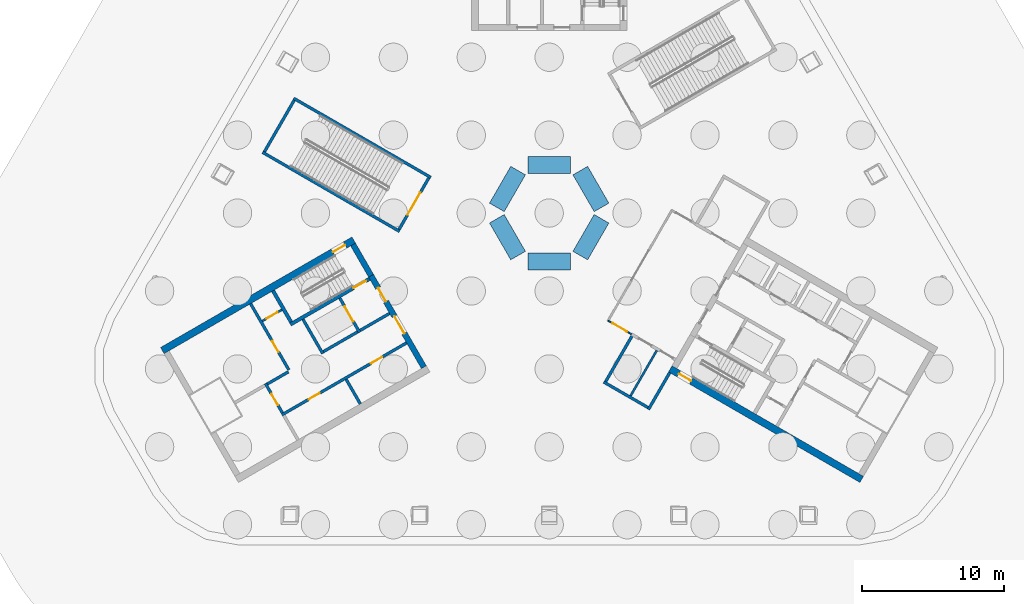
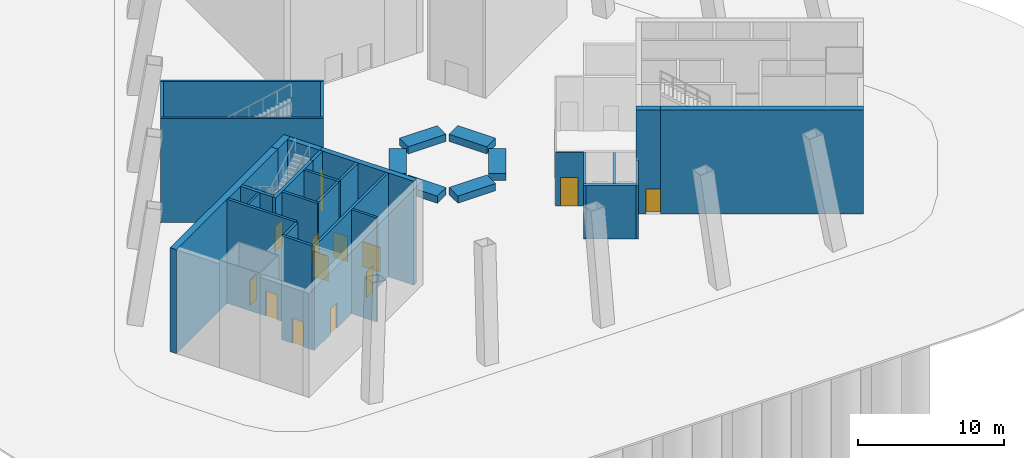
# One storey, part 3 of 10: 34 walls, 13 doors, 13 openings.
"""IFC4 building model written with IfcOpenShell, lengths in metres."""

from ifc_helpers import new_model, si_unit, direction, frame, frame_2d, origin, origin_2d, place, context, subcontext, project, spatial, rectangle, extrude, material, layer, layer_set, type_object, element, fill, save


model = new_model("IFC4")

# Units and contexts
model_context = context("Model", 3, precision=1e-05, world=origin(), true_north=direction((0.0, 1.0)))
body_context = subcontext(model_context, "Body", "Model", "MODEL_VIEW")
ifc_project = project(units=[si_unit("LENGTHUNIT", "METRE"), si_unit("AREAUNIT", "SQUARE_METRE"), si_unit("VOLUMEUNIT", "CUBIC_METRE"), si_unit("PLANEANGLEUNIT", "RADIAN"), si_unit("MASSUNIT", "GRAM", prefix="KILO")], contexts=[model_context])

# Site, building, storey
site_placement = place(None, origin())
site = spatial("IfcSite", under=ifc_project, at=site_placement, CompositionType="ELEMENT")
building_placement = place(site_placement, origin())
building = spatial("IfcBuilding", under=site, at=building_placement, Name="Apuvela Tower Hotel", CompositionType="ELEMENT")
storey_placement = place(building_placement, origin())
storey = spatial("IfcBuildingStorey", under=building, at=storey_placement, Name="L00", CompositionType="ELEMENT", Elevation=0.0)

# Wall
ifc_material_1 = material(Name="Concrete C50/60", Category="concrete")
ifc_layer_1 = layer(ifc_material_1, 0.39990234375)
ifc_layer_set_1 = layer_set([ifc_layer_1], Name="COR-WALL-CORE-400")
wall_type_1 = type_object("IfcWallType", Name="COR-WALL-CORE-400", PredefinedType="SHEAR", material=ifc_layer_set_1)
wall_1_placement = place(storey_placement, frame((-13.844970703125, -2.219970703125, 0.0), z_axis=(0.0, 0.0, 1.0), x_axis=(0.500062241894, -0.865989465428, 0.0)))
element("IfcWall", 1, at=wall_1_placement, inside=storey, type_object=wall_type_1, Name="Core wall SW", PredefinedType="SHEAR", context=body_context, shape_type="SweptSolid", body=[
    extrude(rectangle(XDim=2.550048828125, YDim=0.39990234375, at=frame_2d((1.27490234375, 0.0))), origin(), (0.0, 0.0, 1.0), 8.699951171875),
])

# Wall, openings, doors
wall_2_placement = place(storey_placement, frame((-12.56982421875, -4.42822265625, 0.0), z_axis=(0.0, 0.0, 1.0), x_axis=(0.499984378957, -0.86603442241, 0.0)))
wall_2 = element("IfcWall", 2, at=wall_2_placement, inside=storey, type_object=wall_type_1, Name="Core wall SW", PredefinedType="SHEAR", context=body_context, shape_type="SweptSolid", body=[
    extrude(rectangle(XDim=7.449951171875, YDim=0.39990234375, at=frame_2d((3.72509765625, 0.0))), origin(), (0.0, 0.0, 1.0), 8.699951171875),
])
opening_1_placement = place(wall_2_placement, frame((1.0, 0.0, 0.0)))
opening_1 = element("IfcOpeningElement", 3, at=opening_1_placement, cuts=wall_2, Name="Opening W-FD", PredefinedType="OPENING", context=body_context, shape_type="SweptSolid", body=[
    extrude(rectangle(XDim=1.10009765625, YDim=2.10009765625, at=frame_2d((0.550048828125, 1.050048828125))), frame((0.0, 0.2099609375, 0.0), z_axis=(0.0, -1.0, 0.0), x_axis=(1.0, 0.0, 0.0)), (0.0, 0.0, 1.0), 0.419921875),
])
opening_2_placement = place(wall_2_placement, frame((3.300048828125, 0.0, 0.0)))
opening_2 = element("IfcOpeningElement", 4, at=opening_2_placement, cuts=wall_2, Name="Opening W-GD", PredefinedType="OPENING", context=body_context, shape_type="SweptSolid", body=[
    extrude(rectangle(XDim=1.39990234375, YDim=2.10009765625, at=frame_2d((0.699951171875, 1.050048828125))), frame((0.0, 0.2099609375, 0.0), z_axis=(0.0, -1.0, 0.0), x_axis=(1.0, 0.0, 0.0)), (0.0, 0.0, 1.0), 0.419921875),
])
ifc_material_2 = material(Name="Steel fire door, powder coated", Category="steel")
door_type_1 = type_object("IfcDoorType", Name="COR-FD-1100", OperationType="NOTDEFINED", PredefinedType="DOOR", material=ifc_material_2)
door_1_placement = place(opening_1_placement, origin())
door_1 = element("IfcDoor", 5, at=door_1_placement, inside=storey, type_object=door_type_1, Name="Firefighting lobby door W-FD", OperationType="SINGLE_SWING_RIGHT", OverallHeight=2.10009765625, OverallWidth=1.10009765625, PredefinedType="DOOR", context=body_context, shape_type="SweptSolid", body=[
    extrude(rectangle(XDim=1.10009765625, YDim=2.10009765625, at=frame_2d((0.550048828125, 1.050048828125))), frame((0.0, 0.02490234375, 0.0), z_axis=(0.0, -1.0, 0.0), x_axis=(1.0, 0.0, 0.0)), (0.0, 0.0, 1.0), 0.050048828125),
])
fill(opening_1, door_1)
ifc_material_3 = material(Name="Glazed steel fire door", Category="steel")
door_type_2 = type_object("IfcDoorType", Name="COR-GD-1400", OperationType="DOUBLE_DOOR_SINGLE_SWING", PredefinedType="DOOR", material=ifc_material_3)
door_2_placement = place(opening_2_placement, origin())
door_2 = element("IfcDoor", 6, at=door_2_placement, inside=storey, type_object=door_type_2, Name="Lift lobby door W-GD", OperationType="DOUBLE_DOOR_SINGLE_SWING", OverallHeight=2.10009765625, OverallWidth=1.39990234375, PredefinedType="DOOR", context=body_context, shape_type="SweptSolid", body=[
    extrude(rectangle(XDim=1.39990234375, YDim=2.10009765625, at=frame_2d((0.699951171875, 1.050048828125))), frame((0.0, 0.02490234375, 0.0), z_axis=(0.0, -1.0, 0.0), x_axis=(1.0, 0.0, 0.0)), (0.0, 0.0, 1.0), 0.050048828125),
])
fill(opening_2, door_2)

# Wall, opening, door
ifc_layer_2 = layer(ifc_material_1, 0.5)
ifc_layer_set_2 = layer_set([ifc_layer_2], Name="COR-WALL-CORE-500")
wall_type_2 = type_object("IfcWallType", Name="COR-WALL-CORE-500", PredefinedType="SHEAR", material=ifc_layer_set_2)
wall_3_placement = place(storey_placement, frame((-13.796630859375, -1.9033203125, 0.0), z_axis=(0.0, 0.0, 1.0), x_axis=(-0.866033076574, -0.499986710104, 0.0)))
wall_3 = element("IfcWall", 7, at=wall_3_placement, inside=storey, type_object=wall_type_2, Name="Core wall SW", PredefinedType="SHEAR", context=body_context, shape_type="SweptSolid", body=[
    extrude(rectangle(XDim=1.7060546875, YDim=0.5, at=frame_2d((0.85302734375, 0.0))), origin(), (0.0, 0.0, 1.0), 8.699951171875),
])
opening_3_placement = place(wall_3_placement, frame((0.699951171875, 0.0, 0.0)))
opening_3 = element("IfcOpeningElement", 8, at=opening_3_placement, cuts=wall_3, Name="Opening W-XD", PredefinedType="OPENING", context=body_context, shape_type="SweptSolid", body=[
    extrude(rectangle(XDim=1.0, YDim=2.10009765625, at=frame_2d((0.5, 1.050048828125))), frame((0.0, 0.260009765625, 0.0), z_axis=(0.0, -1.0, 0.0), x_axis=(1.0, 0.0, 0.0)), (0.0, 0.0, 1.0), 0.52001953125),
])
door_type_3 = type_object("IfcDoorType", Name="COR-XD-1000", OperationType="NOTDEFINED", PredefinedType="DOOR", material=ifc_material_2)
door_3_placement = place(opening_3_placement, frame((1.0, 0.0, 0.0), z_axis=(0.0, 0.0, 1.0), x_axis=(-1.0, 0.0, 0.0)))
door_3 = element("IfcDoor", 9, at=door_3_placement, inside=storey, type_object=door_type_3, Name="Stair exit door W-XD", OperationType="SINGLE_SWING_LEFT", OverallHeight=2.10009765625, OverallWidth=1.0, PredefinedType="DOOR", context=body_context, shape_type="SweptSolid", body=[
    extrude(rectangle(XDim=1.0, YDim=2.10009765625, at=frame_2d((0.5, 1.050048828125))), frame((0.0, 0.02490234375, 0.0), z_axis=(0.0, -1.0, 0.0), x_axis=(1.0, 0.0, 0.0)), (0.0, 0.0, 1.0), 0.050048828125),
])
fill(opening_3, door_3)

# Wall
wall_4_placement = place(storey_placement, frame((-15.274169921875, -2.75634765625, 0.0), z_axis=(0.0, 0.0, 1.0), x_axis=(-0.86602318214, -0.500003847982, 0.0)))
element("IfcWall", 10, at=wall_4_placement, inside=storey, type_object=wall_type_2, Name="Core wall SW", PredefinedType="SHEAR", context=body_context, shape_type="SweptSolid", body=[
    extrude(rectangle(XDim=13.89404296875, YDim=0.5, at=frame_2d((6.947021484375, 0.0))), origin(), (0.0, 0.0, 1.0), 8.699951171875),
])

# Wall, opening, door
wall_5_placement = place(storey_placement, frame((8.546630859375, -10.99658203125, 0.0), z_axis=(0.0, 0.0, 1.0), x_axis=(0.866033076574, -0.499986710104, 0.0)))
wall_5 = element("IfcWall", 11, at=wall_5_placement, inside=storey, type_object=wall_type_2, Name="Core wall SE", PredefinedType="SHEAR", context=body_context, shape_type="SweptSolid", body=[
    extrude(rectangle(XDim=1.7060546875, YDim=0.5, at=frame_2d((0.85302734375, 0.0))), origin(), (0.0, 0.0, 1.0), 8.699951171875),
])
opening_4_placement = place(wall_5_placement, frame((0.699951171875, 0.0, 0.0)))
opening_4 = element("IfcOpeningElement", 12, at=opening_4_placement, cuts=wall_5, Name="Opening E-XD", PredefinedType="OPENING", context=body_context, shape_type="SweptSolid", body=[
    extrude(rectangle(XDim=1.0, YDim=2.10009765625, at=frame_2d((0.5, 1.050048828125))), frame((0.0, 0.260009765625, 0.0), z_axis=(0.0, -1.0, 0.0), x_axis=(1.0, 0.0, 0.0)), (0.0, 0.0, 1.0), 0.52001953125),
])
door_4_placement = place(opening_4_placement, frame((1.0, 0.0, 0.0), z_axis=(0.0, 0.0, 1.0), x_axis=(-1.0, 0.0, 0.0)))
door_4 = element("IfcDoor", 13, at=door_4_placement, inside=storey, type_object=door_type_3, Name="Stair exit door E-XD", OperationType="SINGLE_SWING_LEFT", OverallHeight=2.10009765625, OverallWidth=1.0, PredefinedType="DOOR", context=body_context, shape_type="SweptSolid", body=[
    extrude(rectangle(XDim=1.0, YDim=2.10009765625, at=frame_2d((0.5, 1.050048828125))), frame((0.0, 0.02490234375, 0.0), z_axis=(0.0, -1.0, 0.0), x_axis=(1.0, 0.0, 0.0)), (0.0, 0.0, 1.0), 0.050048828125),
])
fill(opening_4, door_4)

# Wall
wall_6_placement = place(storey_placement, frame((10.024169921875, -11.849609375, 0.0), z_axis=(0.0, 0.0, 1.0), x_axis=(0.86602318214, -0.500003847982, 0.0)))
element("IfcWall", 14, at=wall_6_placement, inside=storey, type_object=wall_type_2, Name="Core wall SE", PredefinedType="SHEAR", context=body_context, shape_type="SweptSolid", body=[
    extrude(rectangle(XDim=13.89404296875, YDim=0.5, at=frame_2d((6.947021484375, 0.0))), origin(), (0.0, 0.0, 1.0), 8.699951171875),
])

# Wall, opening, door
ifc_material_4 = material(Name="Blockwork 150 mm plastered", Category="masonry")
ifc_layer_3 = layer(ifc_material_4, 0.14990234375)
ifc_layer_set_3 = layer_set([ifc_layer_3], Name="COR-WALL-PART-150")
wall_type_3 = type_object("IfcWallType", Name="COR-WALL-PART-150", PredefinedType="PARTITIONING", material=ifc_layer_set_3)
wall_7_placement = place(storey_placement, frame((-18.866455078125, -6.822265625, 0.0), z_axis=(0.0, 0.0, 1.0), x_axis=(-0.866028054938, -0.499995408039, 0.0)))
wall_7 = element("IfcWall", 15, at=wall_7_placement, inside=storey, type_object=wall_type_3, Name="Partition SW", PredefinedType="PARTITIONING", context=body_context, shape_type="SweptSolid", body=[
    extrude(rectangle(XDim=1.60009765625, YDim=0.14990234375, at=frame_2d((0.800048828125, 0.0))), origin(), (0.0, 0.0, 1.0), 8.699951171875),
])
opening_5_placement = place(wall_7_placement, frame((0.35009765625, 0.0, 0.0)))
opening_5 = element("IfcOpeningElement", 16, at=opening_5_placement, cuts=wall_7, Name="Opening W-RD", PredefinedType="OPENING", context=body_context, shape_type="SweptSolid", body=[
    extrude(rectangle(XDim=0.89990234375, YDim=2.10009765625, at=frame_2d((0.449951171875, 1.050048828125))), frame((0.0, 0.0849609375, 0.0), z_axis=(0.0, -1.0, 0.0), x_axis=(1.0, 0.0, 0.0)), (0.0, 0.0, 1.0), 0.169921875),
])
ifc_material_5 = material(Name="Steel access door, powder coated", Category="steel")
door_type_4 = type_object("IfcDoorType", Name="COR-RD-900", OperationType="NOTDEFINED", PredefinedType="DOOR", material=ifc_material_5)
door_5_placement = place(opening_5_placement, frame((0.89990234375, 0.0, 0.0), z_axis=(0.0, 0.0, 1.0), x_axis=(-1.0, 0.0, 0.0)))
door_5 = element("IfcDoor", 17, at=door_5_placement, inside=storey, type_object=door_type_4, Name="Riser door W-RD", OperationType="SINGLE_SWING_RIGHT", OverallHeight=2.10009765625, OverallWidth=0.89990234375, PredefinedType="DOOR", context=body_context, shape_type="SweptSolid", body=[
    extrude(rectangle(XDim=0.89990234375, YDim=2.10009765625, at=frame_2d((0.449951171875, 1.050048828125))), frame((0.0, 0.02490234375, 0.0), z_axis=(0.0, -1.0, 0.0), x_axis=(1.0, 0.0, 0.0)), (0.0, 0.0, 1.0), 0.050048828125),
])
fill(opening_5, door_5)

ifc_material_6 = material(Name="Blockwork 200 mm plastered", Category="masonry")
ifc_layer_4 = layer(ifc_material_6, 0.199951171875)
ifc_layer_set_4 = layer_set([ifc_layer_4], Name="COR-WALL-PART-200")
wall_type_4 = type_object("IfcWallType", Name="COR-WALL-PART-200", PredefinedType="PARTITIONING", material=ifc_layer_set_4)
wall_8_placement = place(storey_placement, frame((-21.076171875, -6.39501953125, 0.0), z_axis=(0.0, 0.0, 1.0), x_axis=(0.50001468107, -0.866016927499, 0.0)))
wall_8 = element("IfcWall", 18, at=wall_8_placement, inside=storey, type_object=wall_type_4, Name="Partition SW", PredefinedType="PARTITIONING", context=body_context, shape_type="SweptSolid", body=[
    extrude(rectangle(XDim=5.399658203125, YDim=0.199951171875, at=frame_2d((2.69970703125, 0.0))), origin(), (0.0, 0.0, 1.0), 8.699951171875),
])
opening_6_placement = place(wall_8_placement, frame((3.050048828125, 0.0, 0.0)))
opening_6 = element("IfcOpeningElement", 19, at=opening_6_placement, cuts=wall_8, Name="Opening W-RS1", PredefinedType="OPENING", context=body_context, shape_type="SweptSolid", body=[
    extrude(rectangle(XDim=0.89990234375, YDim=2.10009765625, at=frame_2d((0.449951171875, 1.050048828125))), frame((0.0, 0.10986328125, 0.0), z_axis=(0.0, -1.0, 0.0), x_axis=(1.0, 0.0, 0.0)), (0.0, 0.0, 1.0), 0.219970703125),
])
door_type_5 = type_object("IfcDoorType", Name="COR-DR-900", OperationType="NOTDEFINED", PredefinedType="DOOR", material=ifc_material_2)
door_6_placement = place(opening_6_placement, frame((0.89990234375, 0.0, 0.0), z_axis=(0.0, 0.0, 1.0), x_axis=(-1.0, 0.0, 0.0)))
door_6 = element("IfcDoor", 20, at=door_6_placement, inside=storey, type_object=door_type_5, Name="Store door W-RS1", OperationType="SINGLE_SWING_LEFT", OverallHeight=2.10009765625, OverallWidth=0.89990234375, PredefinedType="DOOR", context=body_context, shape_type="SweptSolid", body=[
    extrude(rectangle(XDim=0.89990234375, YDim=2.10009765625, at=frame_2d((0.449951171875, 1.050048828125))), frame((0.0, 0.02490234375, 0.0), z_axis=(0.0, -1.0, 0.0), x_axis=(1.0, 0.0, 0.0)), (0.0, 0.0, 1.0), 0.050048828125),
])
fill(opening_6, door_6)

# Wall
ifc_layer_5 = layer(ifc_material_1, 0.199951171875)
ifc_layer_set_5 = layer_set([ifc_layer_5], Name="COR-WALL-SHAFT-200")
wall_type_5 = type_object("IfcWallType", Name="COR-WALL-SHAFT-200", PredefinedType="SHEAR", material=ifc_layer_set_5)
wall_9_placement = place(storey_placement, frame((-17.38134765625, -7.49462890625, 0.0), z_axis=(0.0, 0.0, 1.0), x_axis=(0.500011755427, -0.866018616679, 0.0)))
element("IfcWall", 21, at=wall_9_placement, inside=storey, type_object=wall_type_5, Name="Shaft wall SW", PredefinedType="SHEAR", context=body_context, shape_type="SweptSolid", body=[
    extrude(rectangle(XDim=2.80029296875, YDim=0.199951171875, at=frame_2d((1.400146484375, 0.0))), origin(), (0.0, 0.0, 1.0), 8.699951171875),
])

# Wall, opening, door
wall_10_placement = place(storey_placement, frame((-14.783203125, -5.99462890625, 0.0), z_axis=(0.0, 0.0, 1.0), x_axis=(0.49994636267, -0.866056369097, 0.0)))
wall_10 = element("IfcWall", 22, at=wall_10_placement, inside=storey, type_object=wall_type_5, Name="Shaft wall SW", PredefinedType="SHEAR", context=body_context, shape_type="SweptSolid", body=[
    extrude(rectangle(XDim=2.800048828125, YDim=0.199951171875, at=frame_2d((1.39990234375, 0.0))), origin(), (0.0, 0.0, 1.0), 8.699951171875),
])
opening_7_placement = place(wall_10_placement, frame((0.699951171875, 0.0, 0.0)))
opening_7 = element("IfcOpeningElement", 23, at=opening_7_placement, cuts=wall_10, Name="Opening W-LD-FS2", PredefinedType="OPENING", context=body_context, shape_type="SweptSolid", body=[
    extrude(rectangle(XDim=1.199951171875, YDim=2.10009765625, at=frame_2d((0.60009765625, 1.050048828125))), frame((0.0, 0.10986328125, 0.0), z_axis=(0.0, -1.0, 0.0), x_axis=(1.0, 0.0, 0.0)), (0.0, 0.0, 1.0), 0.219970703125),
])
ifc_material_7 = material(Name="Stainless steel lift landing door", Category="steel")
door_type_6 = type_object("IfcDoorType", Name="COR-LD-1200", OperationType="DOUBLE_DOOR_SLIDING", PredefinedType="DOOR", material=ifc_material_7)
door_7_placement = place(opening_7_placement, origin())
door_7 = element("IfcDoor", 24, at=door_7_placement, inside=storey, type_object=door_type_6, Name="Lift landing door W-LD-FS2", OperationType="DOUBLE_DOOR_SLIDING", OverallHeight=2.10009765625, OverallWidth=1.199951171875, PredefinedType="DOOR", context=body_context, shape_type="SweptSolid", body=[
    extrude(rectangle(XDim=1.199951171875, YDim=2.10009765625, at=frame_2d((0.60009765625, 1.050048828125))), frame((0.0, 0.02490234375, 0.0), z_axis=(0.0, -1.0, 0.0), x_axis=(1.0, 0.0, 0.0)), (0.0, 0.0, 1.0), 0.050048828125),
])
fill(opening_7, door_7)

# Walls
wall_11_placement = place(storey_placement, frame((-13.519775390625, -8.383056640625, 0.0), z_axis=(0.0, 0.0, 1.0), x_axis=(-0.866034573852, -0.49998411664, 0.0)))
element("IfcWall", 25, at=wall_11_placement, inside=storey, type_object=wall_type_5, Name="Shaft wall SW", PredefinedType="SHEAR", context=body_context, shape_type="SweptSolid", body=[
    extrude(rectangle(XDim=2.7998046875, YDim=0.199951171875, at=frame_2d((1.39990234375, 0.0))), origin(), (0.0, 0.0, 1.0), 8.699951171875),
])
wall_12_placement = place(storey_placement, frame((-11.26806640625, -7.0830078125, 0.0), z_axis=(0.0, 0.0, 1.0), x_axis=(-0.866050077142, -0.499957262057, 0.0)))
element("IfcWall", 26, at=wall_12_placement, inside=storey, type_object=wall_type_5, Name="Shaft wall SW", PredefinedType="SHEAR", context=body_context, shape_type="SweptSolid", body=[
    extrude(rectangle(XDim=2.400146484375, YDim=0.199951171875, at=frame_2d((1.2001953125, 0.0))), origin(), (0.0, 0.0, 1.0), 8.699951171875),
])

# Wall, openings, doors
wall_13_placement = place(storey_placement, frame((-10.068115234375, -9.16162109375, 0.0), z_axis=(0.0, 0.0, 1.0), x_axis=(-0.866032725843, -0.499987317609, 0.0)))
wall_13 = element("IfcWall", 27, at=wall_13_placement, inside=storey, type_object=wall_type_5, Name="Shaft wall SW", PredefinedType="SHEAR", context=body_context, shape_type="SweptSolid", body=[
    extrude(rectangle(XDim=10.159912109375, YDim=0.199951171875, at=frame_2d((5.080078125, 0.0))), origin(), (0.0, 0.0, 1.0), 8.699951171875),
])
opening_8_placement = place(wall_13_placement, frame((1.989990234375, 0.0, 0.0)))
opening_8 = element("IfcOpeningElement", 28, at=opening_8_placement, cuts=wall_13, Name="Opening W-RE1", PredefinedType="OPENING", context=body_context, shape_type="SweptSolid", body=[
    extrude(rectangle(XDim=0.89990234375, YDim=2.10009765625, at=frame_2d((0.449951171875, 1.050048828125))), frame((0.0, 0.10986328125, 0.0), z_axis=(0.0, -1.0, 0.0), x_axis=(1.0, 0.0, 0.0)), (0.0, 0.0, 1.0), 0.219970703125),
])
opening_9_placement = place(wall_13_placement, frame((7.070068359375, 0.0, 0.0)))
opening_9 = element("IfcOpeningElement", 29, at=opening_9_placement, cuts=wall_13, Name="Opening W-RE3", PredefinedType="OPENING", context=body_context, shape_type="SweptSolid", body=[
    extrude(rectangle(XDim=0.89990234375, YDim=2.10009765625, at=frame_2d((0.449951171875, 1.050048828125))), frame((0.0, 0.10986328125, 0.0), z_axis=(0.0, -1.0, 0.0), x_axis=(1.0, 0.0, 0.0)), (0.0, 0.0, 1.0), 0.219970703125),
])
door_8_placement = place(opening_8_placement, origin())
door_8 = element("IfcDoor", 30, at=door_8_placement, inside=storey, type_object=door_type_5, Name="Store door W-RE1", OperationType="SINGLE_SWING_LEFT", OverallHeight=2.10009765625, OverallWidth=0.89990234375, PredefinedType="DOOR", context=body_context, shape_type="SweptSolid", body=[
    extrude(rectangle(XDim=0.89990234375, YDim=2.10009765625, at=frame_2d((0.449951171875, 1.050048828125))), frame((0.0, 0.02490234375, 0.0), z_axis=(0.0, -1.0, 0.0), x_axis=(1.0, 0.0, 0.0)), (0.0, 0.0, 1.0), 0.050048828125),
])
fill(opening_8, door_8)
door_9_placement = place(opening_9_placement, origin())
door_9 = element("IfcDoor", 31, at=door_9_placement, inside=storey, type_object=door_type_5, Name="Store door W-RE3", OperationType="SINGLE_SWING_LEFT", OverallHeight=2.10009765625, OverallWidth=0.89990234375, PredefinedType="DOOR", context=body_context, shape_type="SweptSolid", body=[
    extrude(rectangle(XDim=0.89990234375, YDim=2.10009765625, at=frame_2d((0.449951171875, 1.050048828125))), frame((0.0, 0.02490234375, 0.0), z_axis=(0.0, -1.0, 0.0), x_axis=(1.0, 0.0, 0.0)), (0.0, 0.0, 1.0), 0.050048828125),
])
fill(opening_9, door_9)

# Wall, opening, door
wall_14_placement = place(storey_placement, frame((-20.030517578125, -12.0263671875, 0.0), z_axis=(0.0, 0.0, 1.0), x_axis=(0.500033551112, -0.866006032174, 0.0)))
wall_14 = element("IfcWall", 32, at=wall_14_placement, inside=storey, type_object=wall_type_5, Name="Shaft wall SW", PredefinedType="SHEAR", context=body_context, shape_type="SweptSolid", body=[
    extrude(rectangle(XDim=2.400146484375, YDim=0.199951171875, at=frame_2d((1.2001953125, 0.0))), origin(), (0.0, 0.0, 1.0), 8.699951171875),
])
opening_10_placement = place(wall_14_placement, frame((0.85009765625, 0.0, 0.0)))
opening_10 = element("IfcOpeningElement", 33, at=opening_10_placement, cuts=wall_14, Name="Opening W-REP", PredefinedType="OPENING", context=body_context, shape_type="SweptSolid", body=[
    extrude(rectangle(XDim=0.89990234375, YDim=2.10009765625, at=frame_2d((0.449951171875, 1.050048828125))), frame((0.0, 0.10986328125, 0.0), z_axis=(0.0, -1.0, 0.0), x_axis=(1.0, 0.0, 0.0)), (0.0, 0.0, 1.0), 0.219970703125),
])
door_10_placement = place(opening_10_placement, frame((0.89990234375, 0.0, 0.0), z_axis=(0.0, 0.0, 1.0), x_axis=(-1.0, 0.0, 0.0)))
door_10 = element("IfcDoor", 34, at=door_10_placement, inside=storey, type_object=door_type_5, Name="Store door W-REP", OperationType="SINGLE_SWING_LEFT", OverallHeight=2.10009765625, OverallWidth=0.89990234375, PredefinedType="DOOR", context=body_context, shape_type="SweptSolid", body=[
    extrude(rectangle(XDim=0.89990234375, YDim=2.10009765625, at=frame_2d((0.449951171875, 1.050048828125))), frame((0.0, 0.02490234375, 0.0), z_axis=(0.0, -1.0, 0.0), x_axis=(1.0, 0.0, 0.0)), (0.0, 0.0, 1.0), 0.050048828125),
])
fill(opening_10, door_10)

# Walls
wall_15_placement = place(storey_placement, frame((-18.412841796875, -11.2080078125, 0.0), z_axis=(0.0, 0.0, 1.0), x_axis=(-0.866038183914, -0.499977863513, 0.0)))
element("IfcWall", 35, at=wall_15_placement, inside=storey, type_object=wall_type_5, Name="Shaft wall SW", PredefinedType="SHEAR", context=body_context, shape_type="SweptSolid", body=[
    extrude(rectangle(XDim=1.7099609375, YDim=0.199951171875, at=frame_2d((0.85498046875, 0.0))), origin(), (0.0, 0.0, 1.0), 8.699951171875),
])
wall_16_placement = place(storey_placement, frame((-14.330810546875, -11.738037109375, 0.0), z_axis=(0.0, 0.0, 1.0), x_axis=(0.499972520799, -0.866041268327, 0.0)))
element("IfcWall", 36, at=wall_16_placement, inside=storey, type_object=wall_type_5, Name="Shaft wall SW", PredefinedType="SHEAR", context=body_context, shape_type="SweptSolid", body=[
    extrude(rectangle(XDim=2.0, YDim=0.199951171875, at=frame_2d((1.0, 0.0))), origin(), (0.0, 0.0, 1.0), 8.699951171875),
])
ifc_layer_6 = layer(ifc_material_1, 0.25)
ifc_layer_set_6 = layer_set([ifc_layer_6], Name="COR-WALL-STAIR-250")
wall_type_6 = type_object("IfcWallType", Name="COR-WALL-STAIR-250", PredefinedType="SHEAR", material=ifc_layer_set_6)
wall_17_placement = place(storey_placement, frame((-19.49560546875, -5.482421875, 0.0), z_axis=(0.0, 0.0, 1.0), x_axis=(0.499990435942, -0.866030925526, 0.0)))
element("IfcWall", 37, at=wall_17_placement, inside=storey, type_object=wall_type_6, Name="Stair wall SW", PredefinedType="SHEAR", context=body_context, shape_type="SweptSolid", body=[
    extrude(rectangle(XDim=2.5498046875, YDim=0.25, at=frame_2d((1.27490234375, 0.0))), origin(), (0.0, 0.0, 1.0), 8.699951171875),
])

# Wall, opening, door
wall_18_placement = place(storey_placement, frame((-12.6806640625, -4.636474609375, 0.0), z_axis=(0.0, 0.0, 1.0), x_axis=(-0.86601437931, -0.500019094464, 0.0)))
wall_18 = element("IfcWall", 38, at=wall_18_placement, inside=storey, type_object=wall_type_6, Name="Stair wall SW", PredefinedType="SHEAR", context=body_context, shape_type="SweptSolid", body=[
    extrude(rectangle(XDim=1.30615234375, YDim=0.25, at=frame_2d((0.653076171875, 0.0))), origin(), (0.0, 0.0, 1.0), 8.699951171875),
])
opening_11_placement = place(wall_18_placement, frame((0.300048828125, 0.0, 0.0)))
opening_11 = element("IfcOpeningElement", 39, at=opening_11_placement, cuts=wall_18, Name="Opening W-SD", PredefinedType="OPENING", context=body_context, shape_type="SweptSolid", body=[
    extrude(rectangle(XDim=1.0, YDim=2.10009765625, at=frame_2d((0.5, 1.050048828125))), frame((0.0, 0.135009765625, 0.0), z_axis=(0.0, -1.0, 0.0), x_axis=(1.0, 0.0, 0.0)), (0.0, 0.0, 1.0), 0.27001953125),
])
door_type_7 = type_object("IfcDoorType", Name="COR-SD-1000", OperationType="NOTDEFINED", PredefinedType="DOOR", material=ifc_material_2)
door_11_placement = place(opening_11_placement, origin())
door_11 = element("IfcDoor", 40, at=door_11_placement, inside=storey, type_object=door_type_7, Name="Stair door W-SD", OperationType="SINGLE_SWING_RIGHT", OverallHeight=2.10009765625, OverallWidth=1.0, PredefinedType="DOOR", context=body_context, shape_type="SweptSolid", body=[
    extrude(rectangle(XDim=1.0, YDim=2.10009765625, at=frame_2d((0.5, 1.050048828125))), frame((0.0, 0.02490234375, 0.0), z_axis=(0.0, -1.0, 0.0), x_axis=(1.0, 0.0, 0.0)), (0.0, 0.0, 1.0), 0.050048828125),
])
fill(opening_11, door_11)

# Walls
wall_19_placement = place(storey_placement, frame((-13.811767578125, -5.28955078125, 0.0), z_axis=(0.0, 0.0, 1.0), x_axis=(-0.866023561601, -0.500003190742, 0.0)))
element("IfcWall", 41, at=wall_19_placement, inside=storey, type_object=wall_type_6, Name="Stair wall SW", PredefinedType="SHEAR", context=body_context, shape_type="SweptSolid", body=[
    extrude(rectangle(XDim=5.14404296875, YDim=0.25, at=frame_2d((2.572021484375, 0.0))), origin(), (0.0, 0.0, 1.0), 8.699951171875),
])
ifc_material_8 = material(Name="Concrete C30/37", Category="concrete")
ifc_layer_7 = layer(ifc_material_8, 1.199951171875)
ifc_layer_set_7 = layer_set([ifc_layer_7], Name="SPC-PLANTER-BOX")
wall_type_7 = type_object("IfcWallType", Name="SPC-PLANTER-BOX", PredefinedType="SOLIDWALL", material=ifc_layer_set_7)
for number, where, z_axis, x_axis, name in (
    (42, (2.944580078125, 1.699951171875, 0.0), (0.0, 0.0, 1.0), (-0.5, 0.866025403784, 0.0), "PLANTER C1"),
    (43, (0.0, 3.39990234375, 0.0), (0.0, 0.0, 1.0), (-1.0, 0.0, 0.0), "PLANTER C2"),
    (44, (-2.944580078125, 1.699951171875, 0.0), (0.0, 0.0, 1.0), (-0.5, -0.866025403784, 0.0), "PLANTER C3"),
    (45, (-2.944580078125, -1.699951171875, 0.0), (0.0, 0.0, 1.0), (0.5, -0.866025403784, 0.0), "PLANTER C4"),
    (46, (0.0, -3.39990234375, 0.0), (0.0, 0.0, 1.0), (1.0, 0.0, 0.0), "PLANTER C5"),
    (47, (2.944580078125, -1.699951171875, 0.0), (0.0, 0.0, 1.0), (0.5, 0.866025403784, 0.0), "PLANTER C6"),
):
    element("IfcWall", number, at=place(storey_placement, frame(where, z_axis=z_axis, x_axis=x_axis)), inside=storey, type_object=wall_type_7, Name=name, PredefinedType="SOLIDWALL", context=body_context, shape_type="SweptSolid", body=[
        extrude(rectangle(XDim=3.0, YDim=1.199951171875, at=origin_2d()), origin(), (0.0, 0.0, 1.0), 0.60009765625),
    ])

# Wall, opening, door
ifc_material_9 = material(Name="Tempered glass in black anodised aluminium frame", Category="aluminium")
ifc_layer_8 = layer(ifc_material_9, 0.10009765625)
ifc_layer_set_8 = layer_set([ifc_layer_8], Name="SPC-WALL-GLAZED")
wall_type_8 = type_object("IfcWallType", Name="SPC-WALL-GLAZED", PredefinedType="PARTITIONING", material=ifc_layer_set_8)
wall_20_placement = place(storey_placement, frame((4.15869140625, -7.59716796875, 0.0), z_axis=(0.0, 0.0, 1.0), x_axis=(0.86601224135, -0.500022797313, 0.0)))
wall_20 = element("IfcWall", 48, at=wall_20_placement, inside=storey, type_object=wall_type_8, Name="Pavilion glazed wall L", PredefinedType="PARTITIONING", context=body_context, shape_type="SweptSolid", body=[
    extrude(rectangle(XDim=1.89990234375, YDim=0.10009765625, at=frame_2d((0.949951171875, 0.0))), origin(), (0.0, 0.0, 1.0), 4.5),
])
opening_12_placement = place(wall_20_placement, frame((0.35009765625, 0.0, 0.0)))
opening_12 = element("IfcOpeningElement", 49, at=opening_12_placement, cuts=wall_20, Name="Opening L00-S04", PredefinedType="OPENING", context=body_context, shape_type="SweptSolid", body=[
    extrude(rectangle(XDim=1.199951171875, YDim=2.39990234375, at=frame_2d((0.60009765625, 1.199951171875))), frame((0.0, 0.06005859375, 0.0), z_axis=(0.0, -1.0, 0.0), x_axis=(1.0, 0.0, 0.0)), (0.0, 0.0, 1.0), 0.1201171875),
])
ifc_material_10 = material(Name="Tempered glass door leaf in black aluminium frame", Category="aluminium")
door_type_8 = type_object("IfcDoorType", Name="SPC-DOOR-1200-GLAZED", OperationType="NOTDEFINED", PredefinedType="DOOR", material=ifc_material_10)
door_12_placement = place(opening_12_placement, origin())
door_12 = element("IfcDoor", 50, at=door_12_placement, inside=storey, type_object=door_type_8, Name="L00-S04", OperationType="SINGLE_SWING_LEFT", OverallHeight=2.39990234375, OverallWidth=1.199951171875, PredefinedType="DOOR", context=body_context, shape_type="SweptSolid", body=[
    extrude(rectangle(XDim=1.199951171875, YDim=2.39990234375, at=frame_2d((0.60009765625, 1.199951171875))), frame((0.0, 0.02490234375, 0.0), z_axis=(0.0, -1.0, 0.0), x_axis=(1.0, 0.0, 0.0)), (0.0, 0.0, 1.0), 0.050048828125),
])
fill(opening_12, door_12)

# Walls
ifc_material_11 = material(Name="Gypsum board partition on steel stud", Category="steel")
ifc_layer_9 = layer(ifc_material_11, 0.14990234375)
ifc_layer_set_9 = layer_set([ifc_layer_9], Name="SPC-WALL-PARTITION")
wall_type_9 = type_object("IfcWallType", Name="SPC-WALL-PARTITION", PredefinedType="PARTITIONING", material=ifc_layer_set_9)
wall_21_placement = place(storey_placement, frame((7.59423828125, -9.6962890625, 0.0), z_axis=(0.0, 0.0, 1.0), x_axis=(-0.499992827086, -0.866029545028, 0.0)))
element("IfcWall", 51, at=wall_21_placement, inside=storey, type_object=wall_type_9, Name="Wall L00-BLK-LP", PredefinedType="PARTITIONING", context=body_context, shape_type="SweptSolid", body=[
    extrude(rectangle(XDim=3.69970703125, YDim=0.14990234375, at=frame_2d((1.849853515625, 0.0))), origin(), (0.0, 0.0, 1.0), 4.5),
])
ifc_material_12 = material(Name="Concrete C40/50", Category="concrete")
ifc_layer_10 = layer(ifc_material_12, 0.199951171875)
ifc_layer_set_10 = layer_set([ifc_layer_10], Name="SPC-WALL-STAIR")
wall_type_10 = type_object("IfcWallType", Name="SPC-WALL-STAIR", PredefinedType="SOLIDWALL", material=ifc_layer_set_10)
wall_22_placement = place(storey_placement, frame((-10.561279296875, -1.29248046875, 0.0), z_axis=(0.0, 0.0, 1.0), x_axis=(-0.866023249352, 0.500003731568, 0.0)))
element("IfcWall", 52, at=wall_22_placement, inside=storey, type_object=wall_type_10, Name="Wall L00-PS2-E", PredefinedType="SOLIDWALL", context=body_context, shape_type="SweptSolid", body=[
    extrude(rectangle(XDim=11.169921875, YDim=0.199951171875, at=frame_2d((5.5849609375, 0.0))), origin(), (0.0, 0.0, 1.0), 8.699951171875),
])
wall_23_placement = place(storey_placement, frame((-17.998046875, 7.96630859375, 0.0), z_axis=(0.0, 0.0, 1.0), x_axis=(-0.500027713859, -0.866009402589, 0.0)))
element("IfcWall", 53, at=wall_23_placement, inside=storey, type_object=wall_type_10, Name="Wall L00-PS2-F", PredefinedType="SOLIDWALL", context=body_context, shape_type="SweptSolid", body=[
    extrude(rectangle(XDim=4.199951171875, YDim=0.199951171875, at=frame_2d((2.10009765625, 0.0))), origin(), (0.0, 0.0, 1.0), 8.699951171875),
])

# Wall, opening, door
wall_24_placement = place(storey_placement, frame((-8.497802734375, 2.481201171875, 0.0), z_axis=(0.0, 0.0, 1.0), x_axis=(-0.500027713859, -0.866009402589, 0.0)))
wall_24 = element("IfcWall", 54, at=wall_24_placement, inside=storey, type_object=wall_type_10, Name="Wall L00-PS2-N", PredefinedType="SOLIDWALL", context=body_context, shape_type="SweptSolid", body=[
    extrude(rectangle(XDim=4.199951171875, YDim=0.199951171875, at=frame_2d((2.10009765625, 0.0))), origin(), (0.0, 0.0, 1.0), 8.699951171875),
])
opening_13_placement = place(wall_24_placement, frame((1.199951171875, 0.0, 0.0)))
opening_13 = element("IfcOpeningElement", 55, at=opening_13_placement, cuts=wall_24, Name="Opening L00-S02", PredefinedType="OPENING", context=body_context, shape_type="SweptSolid", body=[
    extrude(rectangle(XDim=1.800048828125, YDim=2.10009765625, at=frame_2d((0.89990234375, 1.050048828125))), frame((0.0, 0.10986328125, 0.0), z_axis=(0.0, -1.0, 0.0), x_axis=(1.0, 0.0, 0.0)), (0.0, 0.0, 1.0), 0.219970703125),
])
ifc_material_13 = material(Name="Steel fire door leaf", Category="steel")
door_type_9 = type_object("IfcDoorType", Name="SPC-DOOR-1800-STAIR", OperationType="NOTDEFINED", PredefinedType="DOOR", material=ifc_material_13)
door_13_placement = place(opening_13_placement, origin())
door_13 = element("IfcDoor", 56, at=door_13_placement, inside=storey, type_object=door_type_9, Name="L00-S02", OperationType="DOUBLE_DOOR_SINGLE_SWING", OverallHeight=2.10009765625, OverallWidth=1.800048828125, PredefinedType="DOOR", context=body_context, shape_type="SweptSolid", body=[
    extrude(rectangle(XDim=1.800048828125, YDim=2.10009765625, at=frame_2d((0.89990234375, 1.050048828125))), frame((0.0, 0.02490234375, 0.0), z_axis=(0.0, -1.0, 0.0), x_axis=(1.0, 0.0, 0.0)), (0.0, 0.0, 1.0), 0.050048828125),
])
fill(opening_13, door_13)

# Walls
wall_25_placement = place(storey_placement, frame((-8.361083984375, 2.517822265625, 0.0), z_axis=(0.0, 0.0, 1.0), x_axis=(-0.866028713561, 0.499994267255, 0.0)))
element("IfcWall", 57, at=wall_25_placement, inside=storey, type_object=wall_type_10, Name="Wall L00-PS2-W", PredefinedType="SOLIDWALL", context=body_context, shape_type="SweptSolid", body=[
    extrude(rectangle(XDim=11.170166015625, YDim=0.199951171875, at=frame_2d((5.5849609375, 0.0))), origin(), (0.0, 0.0, 1.0), 8.699951171875),
])
wall_26_placement = place(storey_placement, frame((8.50830078125, -11.26318359375, 0.0), z_axis=(0.0, 0.0, 1.0), x_axis=(-0.50002537861, -0.866010750942, 0.0)))
element("IfcWall", 58, at=wall_26_placement, inside=storey, type_object=wall_type_10, Name="Wall L00-BLK-LB", PredefinedType="SOLIDWALL", context=body_context, shape_type="SweptSolid", body=[
    extrude(rectangle(XDim=2.999755859375, YDim=0.199951171875, at=frame_2d((1.5, 0.0))), origin(), (0.0, 0.0, 1.0), 4.5),
])
wall_27_placement = place(storey_placement, frame((5.890625, -8.59716796875, 0.0), z_axis=(0.0, 0.0, 1.0), x_axis=(-0.49999894854, -0.866026010844, 0.0)))
element("IfcWall", 59, at=wall_27_placement, inside=storey, type_object=wall_type_10, Name="Wall L00-BLK-LF", PredefinedType="SOLIDWALL", context=body_context, shape_type="SweptSolid", body=[
    extrude(rectangle(XDim=4.0, YDim=0.199951171875, at=frame_2d((2.0, 0.0))), origin(), (0.0, 0.0, 1.0), 4.5),
])
wall_28_placement = place(storey_placement, frame((3.85400390625, -11.924560546875, 0.0), z_axis=(0.0, 0.0, 1.0), x_axis=(0.866018442252, -0.500012057535, 0.0)))
element("IfcWall", 60, at=wall_28_placement, inside=storey, type_object=wall_type_10, Name="Wall L00-BLK-LO", PredefinedType="SOLIDWALL", context=body_context, shape_type="SweptSolid", body=[
    extrude(rectangle(XDim=3.60009765625, YDim=0.199951171875, at=frame_2d((1.800048828125, 0.0))), origin(), (0.0, 0.0, 1.0), 4.5),
])

save(model, "model.ifc")
